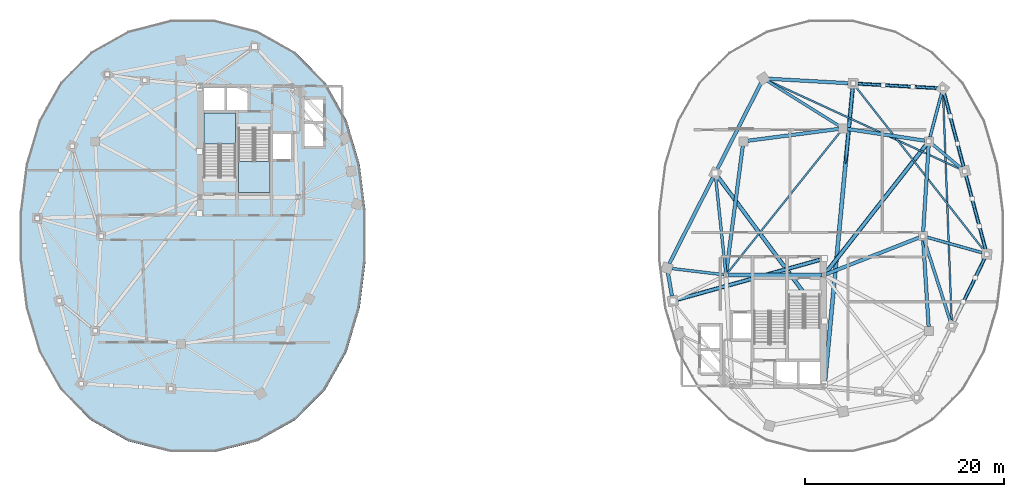
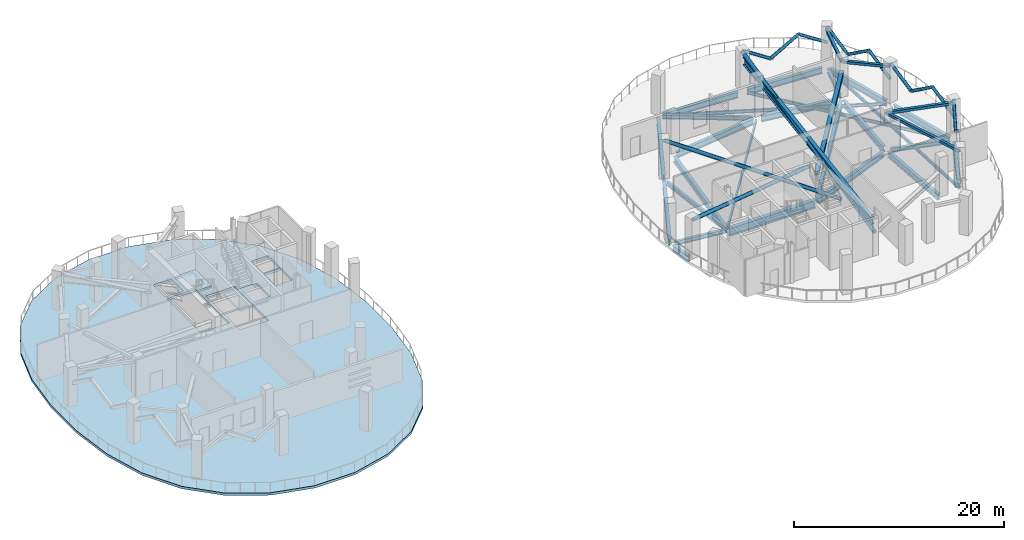
# One storey, part 5 of 14: 26 beams, 19 members, 3 slabs, 2 elements without a shape of their own.
"""IFC4 building model written with IfcOpenShell, lengths in metres."""

from ifc_helpers import new_model, si_unit, direction, frame, origin, origin_2d, place, context, subcontext, project, spatial, polyline, hollow_rectangle, hollow_circle, i_section, outline, extrude, material, layer, layer_set, material_profile, profile_set, type_object, element, aggregate, save


model = new_model("IFC4")

# Units and contexts
model_context = context("Model", 3, precision=1e-05, world=origin(), true_north=direction((0.0, 1.0)))
body_context = subcontext(model_context, "Body", "Model", "MODEL_VIEW")
ifc_project = project(units=[si_unit("LENGTHUNIT", "METRE"), si_unit("AREAUNIT", "SQUARE_METRE"), si_unit("VOLUMEUNIT", "CUBIC_METRE"), si_unit("PLANEANGLEUNIT", "RADIAN"), si_unit("MASSUNIT", "GRAM", prefix="KILO"), si_unit("THERMODYNAMICTEMPERATUREUNIT", "KELVIN"), si_unit("POWERUNIT", "WATT")], contexts=[model_context])

# Site, building, storey
site_placement = place(None, origin())
site = spatial("IfcSite", under=ifc_project, at=site_placement, CompositionType="ELEMENT")
building_placement = place(site_placement, origin())
building = spatial("IfcBuilding", under=site, at=building_placement, Name="Cundina Bronze Exchange", CompositionType="ELEMENT")
storey_placement = place(building_placement, frame((0.0, 0.0, 187.199951171875)))
storey = spatial("IfcBuildingStorey", under=building, at=storey_placement, Name="L49", CompositionType="ELEMENT", Elevation=187.199951171875)

# Beams
ifc_material_1 = material(Name="Steel ASTM A992 Grade 50", Category="steel")
ifc_material_profile_1 = material_profile(ifc_material_1, i_section(OverallWidth=0.280029296875, OverallDepth=0.462890625, WebThickness=0.0107421875, FlangeThickness=0.017333984375, FilletRadius=0.011962890625, at=origin_2d()), Name="W18X76", Category="steel")
ifc_profile_set_1 = profile_set([ifc_material_profile_1], Name="Steel ASTM A992 Grade 50")
beam_type_1 = type_object("IfcBeamType", Name="BM-FLR-W18A", PredefinedType="BEAM", material=ifc_profile_set_1)
beam_1_placement = place(storey_placement, frame((21.247314453125, -3.8759765625, -0.511474609375), z_axis=(-0.993036158382, 0.11780996624, 0.0), x_axis=(-0.11780996624, -0.993036158382, 0.0)))
element("IfcBeam", 1, at=beam_1_placement, inside=storey, type_object=beam_type_1, Name="L49 Leg E Chordal Floor Beam 00", PredefinedType="BEAM", context=body_context, shape_type="SweptSolid", body=[
    extrude(i_section(OverallWidth=0.280029296875, OverallDepth=0.462890625, WebThickness=0.0107421875, FlangeThickness=0.017333984375, FilletRadius=0.011962890625, at=origin_2d()), origin(), (0.0, 0.0, 1.0), 5.249267578125),
])
beam_2_placement = place(storey_placement, frame((41.62158203125, -0.11865234375, -0.511474609375), z_axis=(0.962649202648, -0.270751754643, 0.0), x_axis=(0.270751754643, 0.962649202648, 0.0)))
element("IfcBeam", 2, at=beam_2_placement, inside=storey, type_object=beam_type_1, Name="L49 Leg E Chordal Floor Beam 08", PredefinedType="BEAM", context=body_context, shape_type="SweptSolid", body=[
    extrude(i_section(OverallWidth=0.280029296875, OverallDepth=0.462890625, WebThickness=0.0107421875, FlangeThickness=0.017333984375, FilletRadius=0.011962890625, at=origin_2d()), origin(), (0.0, 0.0, 1.0), 5.72216796875),
])
beam_3_placement = place(storey_placement, frame((41.911865234375, 9.923583984375, -0.511474609375), z_axis=(0.255413807463, 0.966831829719, 0.0), x_axis=(-0.966831829719, 0.255413807463, 0.0)))
element("IfcBeam", 3, at=beam_3_placement, inside=storey, type_object=beam_type_1, Name="L49 Leg E Chordal Floor Beam 10", PredefinedType="BEAM", context=body_context, shape_type="SweptSolid", body=[
    extrude(i_section(OverallWidth=0.280029296875, OverallDepth=0.462890625, WebThickness=0.0107421875, FlangeThickness=0.017333984375, FilletRadius=0.011962890625, at=origin_2d()), origin(), (0.0, 0.0, 1.0), 4.5556640625),
])
beam_4_placement = place(storey_placement, frame((32.82861328125, 11.031982421875, -0.511474609375), z_axis=(-0.847985407265, 0.530019574228, 0.0), x_axis=(-0.530019574228, -0.847985407265, 0.0)))
element("IfcBeam", 4, at=beam_4_placement, inside=storey, type_object=beam_type_1, Name="L49 Leg E Chordal Floor Beam 12", PredefinedType="BEAM", context=body_context, shape_type="SweptSolid", body=[
    extrude(i_section(OverallWidth=0.280029296875, OverallDepth=0.462890625, WebThickness=0.0107421875, FlangeThickness=0.017333984375, FilletRadius=0.011962890625, at=origin_2d()), origin(), (0.0, 0.0, 1.0), 8.50830078125),
])
beam_5_placement = place(storey_placement, frame((21.4287109375, -3.697021484375, -0.511474609375), z_axis=(-0.104834931651, 0.9944896365, 0.0), x_axis=(-0.9944896365, -0.104834931651, 0.0)))
element("IfcBeam", 5, at=beam_5_placement, inside=storey, type_object=beam_type_1, Name="L49 Leg E Chordal Floor Beam 13", PredefinedType="BEAM", context=body_context, shape_type="SweptSolid", body=[
    extrude(i_section(OverallWidth=0.280029296875, OverallDepth=0.462890625, WebThickness=0.0107421875, FlangeThickness=0.017333984375, FilletRadius=0.011962890625, at=origin_2d()), origin(), (0.0, 0.0, 1.0), 9.564453125),
])
ifc_material_profile_2 = material_profile(ifc_material_1, i_section(OverallWidth=0.172119140625, OverallDepth=0.35791015625, WebThickness=0.0078125, FlangeThickness=0.01318359375, FilletRadius=0.010009765625, at=origin_2d()), Name="W14X38", Category="steel")
ifc_profile_set_2 = profile_set([ifc_material_profile_2], Name="Steel ASTM A992 Grade 50")
beam_type_2 = type_object("IfcBeamType", Name="BM-JST-W14", PredefinedType="JOIST", material=ifc_profile_set_2)
beam_6_placement = place(storey_placement, frame((21.577392578125, -3.740478515625, -0.458984375), z_axis=(0.624370675223, 0.781128196854, 0.0), x_axis=(-0.781128196854, 0.624370675223, 0.0)))
element("IfcBeam", 6, at=beam_6_placement, inside=storey, type_object=beam_type_2, Name="L49 E Interior Core-to-Ring Joist 2", PredefinedType="JOIST", context=body_context, shape_type="SweptSolid", body=[
    extrude(i_section(OverallWidth=0.172119140625, OverallDepth=0.35791015625, WebThickness=0.0078125, FlangeThickness=0.01318359375, FilletRadius=0.010009765625, at=origin_2d()), origin(), (0.0, 0.0, 1.0), 18.177001953125),
])
beam_7_placement = place(storey_placement, frame((44.08154296875, -8.51220703125, -0.458984375), z_axis=(-0.037784933381, 0.999285894431, 0.0), x_axis=(-0.999285894431, -0.037784933381, 0.0)))
element("IfcBeam", 7, at=beam_7_placement, inside=storey, type_object=beam_type_2, Name="L49 Leg E Lobe Floor Joist 07-10", PredefinedType="JOIST", context=body_context, shape_type="SweptSolid", body=[
    extrude(i_section(OverallWidth=0.172119140625, OverallDepth=0.35791015625, WebThickness=0.0078125, FlangeThickness=0.01318359375, FilletRadius=0.010009765625, at=origin_2d()), origin(), (0.0, 0.0, 1.0), 22.8408203125),
])
beam_8_placement = place(storey_placement, frame((47.299072265625, -1.416015625, -0.458984375), z_axis=(-0.616801484103, 0.787118751656, 0.0), x_axis=(-0.787118751656, -0.616801484103, 0.0)))
element("IfcBeam", 8, at=beam_8_placement, inside=storey, type_object=beam_type_2, Name="L49 Leg E Lobe Floor Joist 08-11", PredefinedType="JOIST", context=body_context, shape_type="SweptSolid", body=[
    extrude(i_section(OverallWidth=0.172119140625, OverallDepth=0.35791015625, WebThickness=0.0078125, FlangeThickness=0.01318359375, FilletRadius=0.010009765625, at=origin_2d()), origin(), (0.0, 0.0, 1.0), 20.7490234375),
])
beam_9_placement = place(storey_placement, frame((44.956787109375, 6.7041015625, -0.458984375), z_axis=(-0.908353865734, 0.418202408655, 0.0), x_axis=(-0.418202408655, -0.908353865734, 0.0)))
element("IfcBeam", 9, at=beam_9_placement, inside=storey, type_object=beam_type_2, Name="L49 Leg E Lobe Floor Joist 09-12", PredefinedType="JOIST", context=body_context, shape_type="SweptSolid", body=[
    extrude(i_section(OverallWidth=0.172119140625, OverallDepth=0.35791015625, WebThickness=0.0078125, FlangeThickness=0.01318359375, FilletRadius=0.010009765625, at=origin_2d()), origin(), (0.0, 0.0, 1.0), 21.261962890625),
])
ifc_material_profile_3 = material_profile(ifc_material_1, i_section(OverallWidth=0.39990234375, OverallDepth=0.85498046875, WebThickness=0.018310546875, FlangeThickness=0.029296875, FilletRadius=0.02001953125, at=origin_2d()), Name="W33X201", Category="steel")
ifc_profile_set_3 = profile_set([ifc_material_profile_3], Name="Steel ASTM A992 Grade 50")
beam_type_3 = type_object("IfcBeamType", Name="BM-OUT-W33", PredefinedType="USERDEFINED", material=ifc_profile_set_3)
beam_10_placement = place(storey_placement, frame((31.392333984375, -14.402099609375, 3.462646484375), z_axis=(0.094107113119, 0.995562078055, 0.0), x_axis=(-0.995562078055, 0.094107113119, 0.0)))
element("IfcBeam", 10, at=beam_10_placement, inside=storey, type_object=beam_type_3, Name="L49 E Outrigger Upper Tie Chord 1", ObjectType="GIRDER", PredefinedType="USERDEFINED", context=body_context, shape_type="SweptSolid", body=[
    extrude(i_section(OverallWidth=0.39990234375, OverallDepth=0.85498046875, WebThickness=0.018310546875, FlangeThickness=0.029296875, FilletRadius=0.02001953125, at=origin_2d()), origin(), (0.0, 0.0, 1.0), 29.346435546875),
])
ifc_material_profile_4 = material_profile(ifc_material_1, i_section(OverallWidth=0.35498046875, OverallDepth=0.695068359375, WebThickness=0.015380859375, FlangeThickness=0.02490234375, FilletRadius=0.01806640625, at=origin_2d()), Name="W27X146", Category="steel")
ifc_profile_set_4 = profile_set([ifc_material_profile_4], Name="Steel ASTM A992 Grade 50")
beam_type_4 = type_object("IfcBeamType", Name="BM-RING-W27", PredefinedType="USERDEFINED", material=ifc_profile_set_4)
for number, where, z_axis, x_axis, name in (
    (11, (41.7724609375, -9.06298828125, -0.62744140625), (-0.063046519736, 0.998010589297, 0.0), (-0.998010589297, -0.063046519736, 0.0), "L49 E Inner Structural Ring Girder 03"),
    (12, (41.2275390625, 0.43701171875, -0.62744140625), (0.063046519736, 0.998010589297, 0.0), (-0.998010589297, 0.063046519736, 0.0), "L49 E Inner Structural Ring Girder 04"),
):
    element("IfcBeam", number, at=place(storey_placement, frame(where, z_axis=z_axis, x_axis=x_axis)), inside=storey, type_object=beam_type_4, Name=name, ObjectType="GIRDER", PredefinedType="USERDEFINED", context=body_context, shape_type="SweptSolid", body=[
        extrude(i_section(OverallWidth=0.35498046875, OverallDepth=0.695068359375, WebThickness=0.015380859375, FlangeThickness=0.02490234375, FilletRadius=0.01806640625, at=origin_2d()), origin(), (0.0, 0.0, 1.0), 8.64306640625),
    ])
beam_11_placement = place(storey_placement, frame((41.366943359375, 9.5654296875, -0.62744140625), z_axis=(-0.988764903598, 0.149478979839, 0.0), x_axis=(-0.149478979839, -0.988764903598, 0.0)))
element("IfcBeam", 13, at=beam_11_placement, inside=storey, type_object=beam_type_4, Name="L49 E Inner Structural Ring Girder 05", ObjectType="GIRDER", PredefinedType="USERDEFINED", context=body_context, shape_type="SweptSolid", body=[
    extrude(i_section(OverallWidth=0.35498046875, OverallDepth=0.695068359375, WebThickness=0.015380859375, FlangeThickness=0.02490234375, FilletRadius=0.01806640625, at=origin_2d()), origin(), (0.0, 0.0, 1.0), 7.82177734375),
])
beam_12_placement = place(storey_placement, frame((32.765625, 10.743408203125, -0.62744140625), z_axis=(-0.991656498582, -0.128908451316, 0.0), x_axis=(0.128908451316, -0.991656498582, 0.0)))
element("IfcBeam", 14, at=beam_12_placement, inside=storey, type_object=beam_type_4, Name="L49 E Inner Structural Ring Girder 06", ObjectType="GIRDER", PredefinedType="USERDEFINED", context=body_context, shape_type="SweptSolid", body=[
    extrude(i_section(OverallWidth=0.35498046875, OverallDepth=0.695068359375, WebThickness=0.015380859375, FlangeThickness=0.02490234375, FilletRadius=0.01806640625, at=origin_2d()), origin(), (0.0, 0.0, 1.0), 9.208251953125),
])
beam_13_placement = place(storey_placement, frame((23.143310546875, 9.065673828125, -0.62744140625), z_axis=(-0.129507030047, -0.991578503785, 0.0), x_axis=(0.991578503785, -0.129507030047, 0.0)))
element("IfcBeam", 15, at=beam_13_placement, inside=storey, type_object=beam_type_4, Name="L49 E Inner Structural Ring Girder 07", ObjectType="GIRDER", PredefinedType="USERDEFINED", context=body_context, shape_type="SweptSolid", body=[
    extrude(i_section(OverallWidth=0.35498046875, OverallDepth=0.695068359375, WebThickness=0.015380859375, FlangeThickness=0.02490234375, FilletRadius=0.01806640625, at=origin_2d()), origin(), (0.0, 0.0, 1.0), 12.871826171875),
])
beam_14_placement = place(storey_placement, frame((31.48974609375, -3.8251953125, -0.62744140625), z_axis=(0.930405617189, 0.36653156413, 0.0), x_axis=(-0.36653156413, 0.930405617189, 0.0)))
element("IfcBeam", 16, at=beam_14_placement, inside=storey, type_object=beam_type_4, Name="L49 E Core-to-Waist Tie Beam 1", ObjectType="GIRDER", PredefinedType="USERDEFINED", context=body_context, shape_type="SweptSolid", body=[
    extrude(i_section(OverallWidth=0.35498046875, OverallDepth=0.695068359375, WebThickness=0.015380859375, FlangeThickness=0.02490234375, FilletRadius=0.01806640625, at=origin_2d()), origin(), (0.0, 0.0, 1.0), 9.99853515625),
])
beam_15_placement = place(storey_placement, frame((31.42578125, -3.739501953125, -0.62744140625), z_axis=(0.616779109924, 0.787136283982, 0.0), x_axis=(-0.787136283982, 0.616779109924, 0.0)))
element("IfcBeam", 17, at=beam_15_placement, inside=storey, type_object=beam_type_4, Name="L49 E Core-to-Waist Tie Beam 3", ObjectType="GIRDER", PredefinedType="USERDEFINED", context=body_context, shape_type="SweptSolid", body=[
    extrude(i_section(OverallWidth=0.35498046875, OverallDepth=0.695068359375, WebThickness=0.015380859375, FlangeThickness=0.02490234375, FilletRadius=0.01806640625, at=origin_2d()), origin(), (0.0, 0.0, 1.0), 16.3818359375),
])
beam_16_placement = place(storey_placement, frame((15.6337890625, -3.680908203125, -0.62744140625), z_axis=(0.171666718895, -0.985155083032, 0.0), x_axis=(0.985155083032, 0.171666718895, 0.0)))
element("IfcBeam", 18, at=beam_16_placement, inside=storey, type_object=beam_type_4, Name="L49 E Perimeter Ring Girder 00", ObjectType="GIRDER", PredefinedType="USERDEFINED", context=body_context, shape_type="SweptSolid", body=[
    extrude(i_section(OverallWidth=0.35498046875, OverallDepth=0.695068359375, WebThickness=0.015380859375, FlangeThickness=0.02490234375, FilletRadius=0.01806640625, at=origin_2d()), origin(), (0.0, 0.0, 1.0), 2.37353515625),
])
beam_17_placement = place(storey_placement, frame((44.3134765625, -8.56103515625, -0.62744140625), z_axis=(0.437196998825, 0.89936576776, 0.0), x_axis=(-0.89936576776, 0.437196998825, 0.0)))
element("IfcBeam", 19, at=beam_17_placement, inside=storey, type_object=beam_type_4, Name="L49 E Perimeter Ring Girder 07", ObjectType="GIRDER", PredefinedType="USERDEFINED", context=body_context, shape_type="SweptSolid", body=[
    extrude(i_section(OverallWidth=0.35498046875, OverallDepth=0.695068359375, WebThickness=0.015380859375, FlangeThickness=0.02490234375, FilletRadius=0.01806640625, at=origin_2d()), origin(), (0.0, 0.0, 1.0), 7.029541015625),
])
for number, where, z_axis, x_axis, name in (
    (20, (47.47509765625, -1.328369140625, -0.62744140625), (-0.256240814108, 0.966612975904, 0.0), (-0.966612975904, -0.256240814108, 0.0), "L49 E Perimeter Ring Girder 08"),
    (21, (45.27490234375, 6.9716796875, -0.62744140625), (-0.256210841755, 0.96662092082, 0.0), (-0.96662092082, -0.256210841755, 0.0), "L49 E Perimeter Ring Girder 09"),
):
    element("IfcBeam", number, at=place(storey_placement, frame(where, z_axis=z_axis, x_axis=x_axis)), inside=storey, type_object=beam_type_4, Name=name, ObjectType="GIRDER", PredefinedType="USERDEFINED", context=body_context, shape_type="SweptSolid", body=[
        extrude(i_section(OverallWidth=0.35498046875, OverallDepth=0.695068359375, WebThickness=0.015380859375, FlangeThickness=0.02490234375, FilletRadius=0.01806640625, at=origin_2d()), origin(), (0.0, 0.0, 1.0), 7.61083984375),
    ])
for number, where, z_axis, x_axis, name in (
    (22, (42.712890625, 14.8271484375, -0.62744140625), (-0.998460820451, 0.055461608559, 0.0), (-0.055461608559, -0.998460820451, 0.0), "L49 E Perimeter Ring Girder 10"),
    (23, (33.712890625, 15.3271484375, -0.62744140625), (-0.998460820451, 0.055461608559, 0.0), (-0.055461608559, -0.998460820451, 0.0), "L49 E Perimeter Ring Girder 11"),
):
    element("IfcBeam", number, at=place(storey_placement, frame(where, z_axis=z_axis, x_axis=x_axis)), inside=storey, type_object=beam_type_4, Name=name, ObjectType="GIRDER", PredefinedType="USERDEFINED", context=body_context, shape_type="SweptSolid", body=[
        extrude(i_section(OverallWidth=0.35498046875, OverallDepth=0.695068359375, WebThickness=0.015380859375, FlangeThickness=0.02490234375, FilletRadius=0.01806640625, at=origin_2d()), origin(), (0.0, 0.0, 1.0), 8.0380859375),
    ])
for number, where, z_axis, x_axis, name in (
    (24, (24.97900390625, 15.364990234375, -0.62744140625), (-0.452834585354, -0.891594548159, 0.0), (0.891594548159, -0.452834585354, 0.0), "L49 E Perimeter Ring Girder 12"),
    (25, (20.154052734375, 5.864990234375, -0.62744140625), (-0.452834585354, -0.891594548159, 0.0), (0.891594548159, -0.452834585354, 0.0), "L49 E Perimeter Ring Girder 13"),
):
    element("IfcBeam", number, at=place(storey_placement, frame(where, z_axis=z_axis, x_axis=x_axis)), inside=storey, type_object=beam_type_4, Name=name, ObjectType="GIRDER", PredefinedType="USERDEFINED", context=body_context, shape_type="SweptSolid", body=[
        extrude(i_section(OverallWidth=0.35498046875, OverallDepth=0.695068359375, WebThickness=0.015380859375, FlangeThickness=0.02490234375, FilletRadius=0.01806640625, at=origin_2d()), origin(), (0.0, 0.0, 1.0), 9.67919921875),
    ])
ifc_material_profile_5 = material_profile(ifc_material_1, i_section(OverallWidth=0.41796875, OverallDepth=0.927001953125, WebThickness=0.019287109375, FlangeThickness=0.031982421875, FilletRadius=0.02392578125, at=origin_2d()), Name="W36X231", Category="steel")
ifc_profile_set_5 = profile_set([ifc_material_profile_5], Name="Steel ASTM A992 Grade 50")
beam_type_5 = type_object("IfcBeamType", Name="BM-WRN-W36B", PredefinedType="USERDEFINED", material=ifc_profile_set_5)
beam_18_placement = place(storey_placement, frame((31.095947265625, -3.89990234375, -0.743408203125), z_axis=(-1.0, 0.0, 0.0), x_axis=(0.0, -1.0, 0.0)))
element("IfcBeam", 26, at=beam_18_placement, inside=storey, type_object=beam_type_5, Name="L49 E Core Perimeter Tie Girder 1", ObjectType="GIRDER", PredefinedType="USERDEFINED", context=body_context, shape_type="SweptSolid", body=[
    extrude(i_section(OverallWidth=0.41796875, OverallDepth=0.927001953125, WebThickness=0.019287109375, FlangeThickness=0.031982421875, FilletRadius=0.02392578125, at=origin_2d()), origin(), (0.0, 0.0, 1.0), 9.44189453125),
])

# Members
ifc_material_2 = material(Name="Steel ASTM A500 Grade C", Category="steel")
ifc_material_profile_6 = material_profile(ifc_material_2, hollow_circle(Radius=0.162109375, WallThickness=0.01611328125, at=origin_2d()), Name="CHS324X16", Category="steel")
ifc_profile_set_6 = profile_set([ifc_material_profile_6], Name="Steel ASTM A500 Grade C")
member_type_1 = type_object("IfcMemberType", Name="MBR-BLT-CHS324", PredefinedType="BRACE", material=ifc_profile_set_6)
for number, where, z_axis, x_axis, name in (
    (27, (47.60009765625, -1.800048828125, 2.41015625), (-0.213817856199, 0.806657045374, 0.550986692688), (-0.966618915213, -0.256218408303, 0.0), "L49 E Perimeter Belt M-Truss Diagonal 1A"),
    (28, (46.86669921875, 0.966796875, 4.300048828125), (-0.213830133282, 0.806632180542, -0.551018329472), (-0.966613315255, -0.256239533977, 0.0), "L49 E Perimeter Belt M-Truss Diagonal 1B"),
    (29, (46.13330078125, 3.7333984375, 2.41015625), (-0.213830133282, 0.806632180542, 0.551018329472), (-0.966613315255, -0.256239533977, 0.0), "L49 E Perimeter Belt M-Truss Diagonal 1C"),
):
    element("IfcMember", number, at=place(storey_placement, frame(where, z_axis=z_axis, x_axis=x_axis)), inside=storey, type_object=member_type_1, Name=name, PredefinedType="BRACE", context=body_context, shape_type="SweptSolid", body=[
        extrude(hollow_circle(Radius=0.162109375, WallThickness=0.01611328125, at=origin_2d()), origin(), (0.0, 0.0, 1.0), 3.429931640625),
    ])
for number, where, z_axis, x_axis, name in (
    (30, (45.2666015625, -6.60009765625, 4.300048828125), (0.356790369056, 0.733962359948, -0.577927233074), (-0.899366355353, 0.437195790075, 0.0), "L49 E Perimeter Belt M-Truss Diagonal 2B"),
    (31, (46.433349609375, -4.199951171875, 2.41015625), (0.3568099204, 0.733927917458, 0.577958902242), (-0.899348867178, 0.437231763606, 0.0), "L49 E Perimeter Belt M-Truss Diagonal 2C"),
):
    element("IfcMember", number, at=place(storey_placement, frame(where, z_axis=z_axis, x_axis=x_axis)), inside=storey, type_object=member_type_1, Name=name, PredefinedType="BRACE", context=body_context, shape_type="SweptSolid", body=[
        extrude(hollow_circle(Radius=0.162109375, WallThickness=0.01611328125, at=origin_2d()), origin(), (0.0, 0.0, 1.0), 3.27001953125),
    ])
member_1_placement = place(storey_placement, frame((45.39990234375, 6.5, 2.41015625), z_axis=(-0.213762204598, 0.806644456378, 0.551026715215), x_axis=(-0.966634439785, -0.256159832569, 0.0)))
element("IfcMember", 32, at=member_1_placement, inside=storey, type_object=member_type_1, Name="L49 E Perimeter Belt M-Truss Diagonal 3A", PredefinedType="BRACE", context=body_context, shape_type="SweptSolid", body=[
    extrude(hollow_circle(Radius=0.162109375, WallThickness=0.01611328125, at=origin_2d()), origin(), (0.0, 0.0, 1.0), 3.4296875),
])
for number, where, z_axis, x_axis, name in (
    (33, (44.666748046875, 9.2666015625, 4.300048828125), (-0.213830133282, 0.806632180542, -0.551018329472), (-0.966613315255, -0.256239533977, 0.0), "L49 E Perimeter Belt M-Truss Diagonal 3B"),
    (34, (43.933349609375, 12.033203125, 2.41015625), (-0.213817856199, 0.806657045374, 0.550986692688), (-0.966618915213, -0.256218408303, 0.0), "L49 E Perimeter Belt M-Truss Diagonal 3C"),
):
    element("IfcMember", number, at=place(storey_placement, frame(where, z_axis=z_axis, x_axis=x_axis)), inside=storey, type_object=member_type_1, Name=name, PredefinedType="BRACE", context=body_context, shape_type="SweptSolid", body=[
        extrude(hollow_circle(Radius=0.162109375, WallThickness=0.01611328125, at=origin_2d()), origin(), (0.0, 0.0, 1.0), 3.429931640625),
    ])
for number, where, z_axis, x_axis, name in (
    (35, (43.199951171875, 14.800048828125, 2.41015625), (-0.845171062129, 0.046976874628, 0.532427505854), (-0.055497021194, -0.998458852752, 0.0), "L49 E Perimeter Belt M-Truss Diagonal 5A"),
    (36, (40.199951171875, 14.966796875, 4.300048828125), (-0.845173790957, 0.046908245885, -0.532429224918), (-0.055416016115, -0.998463351935, 0.0), "L49 E Perimeter Belt M-Truss Diagonal 5B"),
    (37, (37.199951171875, 15.13330078125, 2.41015625), (-0.845171062129, 0.046976874628, 0.532427505854), (-0.055497021194, -0.998458852752, 0.0), "L49 E Perimeter Belt M-Truss Diagonal 5C"),
):
    element("IfcMember", number, at=place(storey_placement, frame(where, z_axis=z_axis, x_axis=x_axis)), inside=storey, type_object=member_type_1, Name=name, PredefinedType="BRACE", context=body_context, shape_type="SweptSolid", body=[
        extrude(hollow_circle(Radius=0.162109375, WallThickness=0.01611328125, at=origin_2d()), origin(), (0.0, 0.0, 1.0), 3.549560546875),
    ])
ifc_material_profile_7 = material_profile(ifc_material_2, hollow_rectangle(XDim=0.300048828125, YDim=0.300048828125, WallThickness=0.01611328125, at=origin_2d()), Name="HSS300X300X16", Category="steel")
ifc_profile_set_7 = profile_set([ifc_material_profile_7], Name="Steel ASTM A500 Grade C")
member_type_2 = type_object("IfcMemberType", Name="MBR-BLT-HSS300", PredefinedType="STRUT", material=ifc_profile_set_7)
member_2_placement = place(storey_placement, frame((41.199951171875, 0.0, 3.89013671875), z_axis=(0.962650641065, -0.270746640342, 0.0), x_axis=(0.270746640342, 0.962650641065, 0.0)))
element("IfcMember", 38, at=member_2_placement, inside=storey, type_object=member_type_2, Name="L49 E Outrigger Collector Strut 1", PredefinedType="STRUT", context=body_context, shape_type="SweptSolid", body=[
    extrude(hollow_rectangle(XDim=0.300048828125, YDim=0.300048828125, WallThickness=0.01611328125, at=origin_2d()), origin(), (0.0, 0.0, 1.0), 6.6484375),
])
member_3_placement = place(storey_placement, frame((41.199951171875, 0.0, 3.89013671875), z_axis=(0.306707801861, -0.951803721509, 0.0), x_axis=(0.951803721509, 0.306707801861, 0.0)))
element("IfcMember", 39, at=member_3_placement, inside=storey, type_object=member_type_2, Name="L49 E Outrigger Collector Strut 2", PredefinedType="STRUT", context=body_context, shape_type="SweptSolid", body=[
    extrude(hollow_rectangle(XDim=0.300048828125, YDim=0.300048828125, WallThickness=0.01611328125, at=origin_2d()), origin(), (0.0, 0.0, 1.0), 9.455810546875),
])
member_4_placement = place(storey_placement, frame((41.800048828125, 9.5, 3.89013671875), z_axis=(0.768208468069, -0.640199773186, 0.0), x_axis=(0.640199773186, 0.768208468069, 0.0)))
element("IfcMember", 40, at=member_4_placement, inside=storey, type_object=member_type_2, Name="L49 E Outrigger Collector Strut 3", PredefinedType="STRUT", context=body_context, shape_type="SweptSolid", body=[
    extrude(hollow_rectangle(XDim=0.300048828125, YDim=0.300048828125, WallThickness=0.01611328125, at=origin_2d()), origin(), (0.0, 0.0, 1.0), 4.68603515625),
])
member_5_placement = place(storey_placement, frame((41.800048828125, 9.5, 3.89013671875), z_axis=(0.255372270734, 0.966842801773, 0.0), x_axis=(-0.966842801773, 0.255372270734, 0.0)))
element("IfcMember", 41, at=member_5_placement, inside=storey, type_object=member_type_2, Name="L49 E Outrigger Collector Strut 5", PredefinedType="STRUT", context=body_context, shape_type="SweptSolid", body=[
    extrude(hollow_rectangle(XDim=0.300048828125, YDim=0.300048828125, WallThickness=0.01611328125, at=origin_2d()), origin(), (0.0, 0.0, 1.0), 5.481689453125),
])
ifc_material_profile_8 = material_profile(ifc_material_1, i_section(OverallWidth=0.424072265625, OverallDepth=0.47412109375, WebThickness=0.047607421875, FlangeThickness=0.0771484375, FilletRadius=0.01806640625, at=origin_2d()), Name="W14X426", Category="steel")
ifc_profile_set_8 = profile_set([ifc_material_profile_8], Name="Steel ASTM A992 Grade 50")
member_type_3 = type_object("IfcMemberType", Name="MBR-CHORD-W14X", PredefinedType="CHORD", material=ifc_profile_set_8)
member_6_placement = place(storey_placement, frame((31.300048828125, -3.89990234375, 2.650146484375), z_axis=(0.616786098303, 0.787130808024, 0.0), x_axis=(-0.787130808024, 0.616786098303, 0.0)))
element("IfcMember", 42, at=member_6_placement, inside=storey, type_object=member_type_3, Name="L49 East Outrigger Mid-Height Tie Chord 1", PredefinedType="CHORD", context=body_context, shape_type="SweptSolid", body=[
    extrude(i_section(OverallWidth=0.424072265625, OverallDepth=0.47412109375, WebThickness=0.047607421875, FlangeThickness=0.0771484375, FilletRadius=0.01806640625, at=origin_2d()), origin(), (0.0, 0.0, 1.0), 17.023681640625),
])
ifc_material_3 = material(Name="Steel ASTM A501 Grade B", Category="steel")
ifc_material_profile_9 = material_profile(ifc_material_3, hollow_circle(Radius=0.202880859375, WallThickness=0.02001953125, at=origin_2d()), Name="CHS406X20", Category="steel")
ifc_profile_set_9 = profile_set([ifc_material_profile_9], Name="Steel ASTM A501 Grade B")
member_type_4 = type_object("IfcMemberType", Name="MBR-OUT-CHS406", PredefinedType="BRACE", material=ifc_profile_set_9)
member_7_placement = place(storey_placement, frame((31.35009765625, -14.85009765625, 2.449951171875), z_axis=(0.093956391409, 0.994015639261, 0.055723472777), x_axis=(-0.995562504252, 0.094102604252, 0.0)))
element("IfcMember", 43, at=member_7_placement, inside=storey, type_object=member_type_4, Name="L49 E Outrigger Truss Diagonal 1", PredefinedType="BRACE", context=body_context, shape_type="SweptSolid", body=[
    extrude(hollow_circle(Radius=0.202880859375, WallThickness=0.02001953125, at=origin_2d()), origin(), (0.0, 0.0, 1.0), 30.33154296875),
])
member_8_placement = place(storey_placement, frame((31.35009765625, -8.5, 2.449951171875), z_axis=(-0.593161056813, 0.799884691575, 0.091347911116), x_axis=(-0.803243019028, -0.595651452094, 0.0)))
element("IfcMember", 44, at=member_8_placement, inside=storey, type_object=member_type_4, Name="L49 E Outrigger Truss Diagonal 2", PredefinedType="BRACE", context=body_context, shape_type="SweptSolid", body=[
    extrude(hollow_circle(Radius=0.202880859375, WallThickness=0.02001953125, at=origin_2d()), origin(), (0.0, 0.0, 1.0), 18.502685546875),
])
member_9_placement = place(storey_placement, frame((31.35009765625, -2.25, 2.449951171875), z_axis=(-0.957718446625, -0.267341693962, 0.106319309932), x_axis=(0.2688656137, -0.963177699996, 0.0)))
element("IfcMember", 45, at=member_9_placement, inside=storey, type_object=member_type_4, Name="L49 E Outrigger Truss Diagonal 3", PredefinedType="BRACE", context=body_context, shape_type="SweptSolid", body=[
    extrude(hollow_circle(Radius=0.202880859375, WallThickness=0.02001953125, at=origin_2d()), origin(), (0.0, 0.0, 1.0), 15.897216796875),
])

# Stair, slab
ifc_material_4 = material(Name="Concrete C40/50", Category="concrete")
stair_type = type_object("IfcStairType", Name="STR-REF-460", PredefinedType="HALF_TURN_STAIR", material=ifc_material_4)
stair_1_placement = place(storey_placement, origin())
stair_1 = element("IfcStair", 46, at=stair_1_placement, inside=storey, type_object=stair_type, Name="L49 Smokeproof Exit Stair W1", PredefinedType="HALF_TURN_STAIR")
ifc_layer_1 = layer(ifc_material_4, 0.199951171875, Name="Concrete C40/50", Category="concrete")
ifc_layer_set_1 = layer_set([ifc_layer_1], Name="Concrete C40/50")
slab_type_1 = type_object("IfcSlabType", Name="SLB-LND-200", PredefinedType="LANDING", material=ifc_layer_set_1)
slab_1_placement = place(storey_placement, frame((0.0, 0.0, 2.10009765625)))
slab_1 = element("IfcSlab", 47, at=slab_1_placement, type_object=slab_type_1, Name="ST-W1 landing 1", PredefinedType="LANDING", context=body_context, shape_type="SweptSolid", body=[
    extrude(outline(polyline([(-27.739990234375, 9.2099609375), (-27.739990234375, 12.35009765625), (-30.89990234375, 12.35009765625), (-30.89990234375, 9.2099609375), (-27.739990234375, 9.2099609375)])), origin(), (0.0, 0.0, 1.0), 0.199951171875),
])
aggregate(stair_1, [slab_1])

stair_2_placement = place(storey_placement, origin())
stair_2 = element("IfcStair", 48, at=stair_2_placement, inside=storey, type_object=stair_type, Name="L49 Smokeproof Exit Stair W2", PredefinedType="HALF_TURN_STAIR")
slab_2_placement = place(storey_placement, frame((0.0, 0.0, 2.10009765625)))
slab_2 = element("IfcSlab", 49, at=slab_2_placement, type_object=slab_type_1, Name="ST-W2 landing 1", PredefinedType="LANDING", context=body_context, shape_type="SweptSolid", body=[
    extrude(outline(polyline([(-27.43994140625, 7.489990234375), (-27.43994140625, 4.35009765625), (-24.280029296875, 4.35009765625), (-24.280029296875, 7.489990234375), (-27.43994140625, 7.489990234375)])), origin(), (0.0, 0.0, 1.0), 0.199951171875),
])
aggregate(stair_2, [slab_2])

# Slab
ifc_material_5 = material(Name="Concrete C50/60", Category="concrete")
ifc_layer_2 = layer(ifc_material_5, 0.280029296875, Name="Concrete C50/60", Category="concrete")
ifc_layer_set_2 = layer_set([ifc_layer_2], Name="Concrete C50/60")
slab_type_2 = type_object("IfcSlabType", Name="SLB-REF-280", PredefinedType="FLOOR", material=ifc_layer_set_2)
slab_3_placement = place(storey_placement, frame((0.0, 0.0, -0.280029296875)))
element("IfcSlab", 50, at=slab_3_placement, inside=storey, type_object=slab_type_2, Name="L49 Leg W Structural Floor Slab", PredefinedType="FLOOR", context=body_context, shape_type="SweptSolid", body=[
    extrude(outline(polyline([(-14.6708984375, 2.44091796875), (-15.264892578125, 7.199951171875), (-16.572021484375, 11.597900390625), (-18.72412109375, 15.4150390625), (-21.751953125, 18.458984375), (-25.52392578125, 20.576904296875), (-29.785888671875, 21.6630859375), (-34.214111328125, 21.6630859375), (-38.47607421875, 20.576904296875), (-42.248046875, 18.458984375), (-45.27587890625, 15.4150390625), (-47.427978515625, 11.597900390625), (-48.735107421875, 7.199951171875), (-49.3291015625, 2.44091796875), (-49.3291015625, -2.44091796875), (-48.735107421875, -7.199951171875), (-47.427978515625, -11.597900390625), (-45.27587890625, -15.4150390625), (-42.248046875, -18.458984375), (-38.47607421875, -20.576904296875), (-34.214111328125, -21.6630859375), (-29.785888671875, -21.6630859375), (-25.52392578125, -20.576904296875), (-21.751953125, -18.458984375), (-18.72412109375, -15.4150390625), (-16.572021484375, -11.597900390625), (-15.264892578125, -7.199951171875), (-14.6708984375, -2.44091796875), (-14.6708984375, 2.44091796875)]), holes=[polyline([(-27.739990234375, 5.85009765625), (-27.739990234375, 12.35009765625), (-30.89990234375, 12.35009765625), (-30.89990234375, 5.85009765625), (-27.739990234375, 5.85009765625)]), polyline([(-27.43994140625, 10.85009765625), (-27.43994140625, 4.35009765625), (-24.280029296875, 4.35009765625), (-24.280029296875, 10.85009765625), (-27.43994140625, 10.85009765625)]), polyline([(-23.97998046875, 10.25), (-22.179931640625, 10.25), (-22.179931640625, 7.75), (-23.97998046875, 7.75), (-23.97998046875, 10.25)]), polyline([(-30.89990234375, 14.949951171875), (-28.85009765625, 14.949951171875), (-28.85009765625, 12.64990234375), (-30.89990234375, 12.64990234375), (-30.89990234375, 14.949951171875)]), polyline([(-28.550048828125, 14.949951171875), (-26.5, 14.949951171875), (-26.5, 12.64990234375), (-28.550048828125, 12.64990234375), (-28.550048828125, 14.949951171875)]), polyline([(-20.800048828125, 13.699951171875), (-18.949951171875, 13.699951171875), (-18.949951171875, 11.449951171875), (-20.800048828125, 11.449951171875), (-20.800048828125, 13.699951171875)]), polyline([(-20.800048828125, 11.300048828125), (-18.949951171875, 11.300048828125), (-18.949951171875, 9.050048828125), (-20.800048828125, 9.050048828125), (-20.800048828125, 11.300048828125)])]), origin(), (0.0, 0.0, 1.0), 0.280029296875),
])

save(model, "model.ifc")
